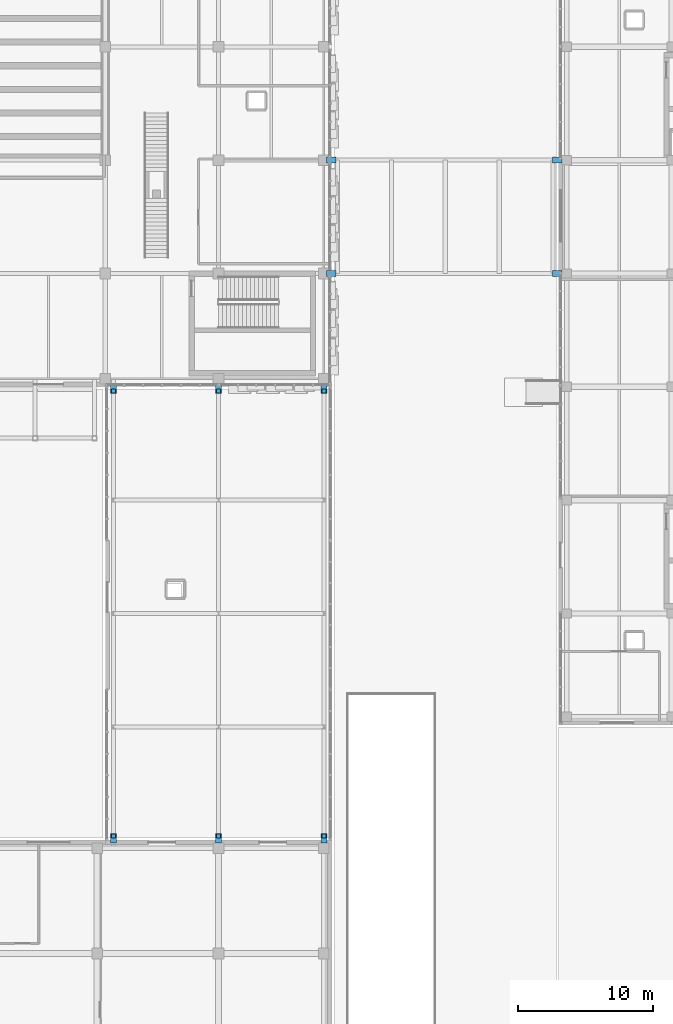
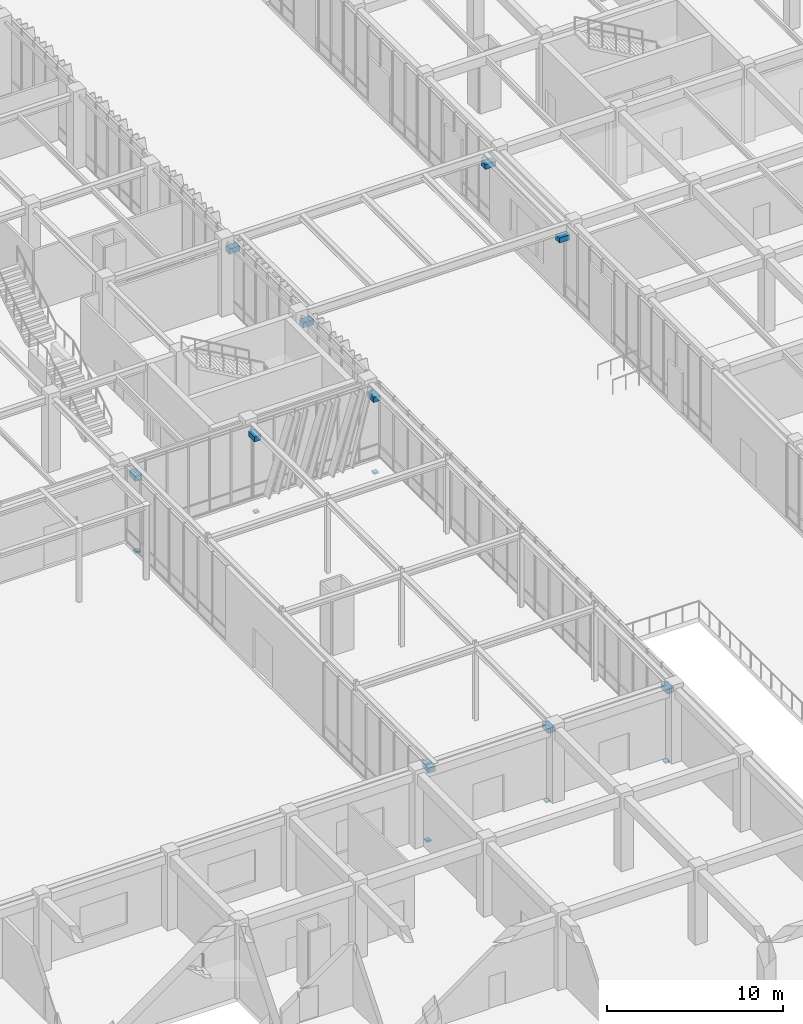
# One storey, part 107 of 122: 16 discrete accessories.
"""IFC4 building model written with IfcOpenShell, lengths in metres."""

from ifc_helpers import new_model, si_unit, direction, frame, origin, origin_2d, place, context, subcontext, project, spatial, rectangle, extrude, material, type_object, element, save


model = new_model("IFC4")

# Units and contexts
model_context = context("Model", 3, precision=1e-05, world=origin(), true_north=direction((0.0, 1.0)))
body_context = subcontext(model_context, "Body", "Model", "MODEL_VIEW")
ifc_project = project(units=[si_unit("LENGTHUNIT", "METRE"), si_unit("AREAUNIT", "SQUARE_METRE"), si_unit("VOLUMEUNIT", "CUBIC_METRE"), si_unit("PLANEANGLEUNIT", "RADIAN"), si_unit("MASSUNIT", "GRAM", prefix="KILO")], contexts=[model_context])

# Site, building, storey
site_placement = place(None, origin())
site = spatial("IfcSite", under=ifc_project, at=site_placement, CompositionType="ELEMENT")
building_placement = place(site_placement, origin())
building = spatial("IfcBuilding", under=site, at=building_placement, Name="Zayran Congress Hotel", CompositionType="ELEMENT")
storey_placement = place(building_placement, origin())
storey = spatial("IfcBuildingStorey", under=building, at=storey_placement, Name="L00", CompositionType="ELEMENT", Elevation=0.0)

# Discrete accessories
ifc_material_1 = material(Name="Steel S355", Category="steel")
discrete_accessory_type_1 = type_object("IfcDiscreteAccessoryType", Name="TP-PTFE-BRG", PredefinedType="USERDEFINED", material=ifc_material_1)
for number, where, z_axis, x_axis, name in (
    (1, (76.199951171875, 34.300048828125, -0.77001953125), (0.0, 0.0, 1.0), (1.0, 0.0, 0.0), "Unguided 2D Free PTFE Sliding Bearing 13"),
    (2, (76.199951171875, 67.300048828125, -0.77001953125), (0.0, 0.0, 1.0), (1.0, 0.0, 0.0), "Unguided 2D Free PTFE Sliding Bearing 14"),
    (3, (84.0, 34.300048828125, -0.77001953125), (0.0, 0.0, 1.0), (1.0, 0.0, 0.0), "Unguided 2D Free PTFE Sliding Bearing 15"),
    (4, (84.0, 67.300048828125, -0.77001953125), (0.0, 0.0, 1.0), (1.0, 0.0, 0.0), "Unguided 2D Free PTFE Sliding Bearing 16"),
    (5, (91.800048828125, 34.300048828125, -0.77001953125), (0.0, 0.0, 1.0), (1.0, 0.0, 0.0), "Unguided 2D Free PTFE Sliding Bearing 17"),
    (6, (91.800048828125, 67.300048828125, -0.77001953125), (0.0, 0.0, 1.0), (1.0, 0.0, 0.0), "Unguided 2D Free PTFE Sliding Bearing 18"),
):
    element("IfcDiscreteAccessory", number, at=place(storey_placement, frame(where, z_axis=z_axis, x_axis=x_axis)), inside=storey, type_object=discrete_accessory_type_1, Name=name, ObjectType="SLIDING BEARING", PredefinedType="USERDEFINED", context=body_context, shape_type="SweptSolid", body=[
        extrude(rectangle(XDim=0.300048828125, YDim=0.300048828125, at=origin_2d()), origin(), (0.0, 0.0, 1.0), 0.1201171875),
    ])
ifc_material_2 = material(Name="Concrete C40/50", Category="concrete")
discrete_accessory_type_2 = type_object("IfcDiscreteAccessoryType", Name="TP-CRB-650", PredefinedType="BRACKET", material=ifc_material_2)
for number, where, z_axis, x_axis, name in (
    (7, (92.35009765625, 76.0, 4.0400390625), (0.0, 0.0, 1.0), (1.0, 0.0, 0.0), "Skybridge 700mm RC Corbel Seat 1"),
    (8, (109.10009765625, 76.0, 4.0400390625), (0.0, 0.0, 1.0), (1.0, 0.0, 0.0), "Skybridge 700mm RC Corbel Seat 2"),
    (9, (92.35009765625, 84.39990234375, 4.0400390625), (0.0, 0.0, 1.0), (1.0, 0.0, 0.0), "Skybridge 700mm RC Corbel Seat 3"),
    (10, (109.10009765625, 84.39990234375, 4.0400390625), (0.0, 0.0, 1.0), (1.0, 0.0, 0.0), "Skybridge 700mm RC Corbel Seat 4"),
    (11, (76.199951171875, 34.14990234375, 4.280029296875), (0.0, 0.0, 1.0), (0.0, 1.0, 0.0), "Forecourt Gallery 700mm RC Corbel Seat 19"),
    (12, (76.199951171875, 67.449951171875, 4.280029296875), (0.0, 0.0, 1.0), (0.0, 1.0, 0.0), "Forecourt Gallery 700mm RC Corbel Seat 20"),
    (13, (84.0, 34.14990234375, 4.280029296875), (0.0, 0.0, 1.0), (0.0, 1.0, 0.0), "Forecourt Gallery 700mm RC Corbel Seat 21"),
    (14, (84.0, 67.449951171875, 4.280029296875), (0.0, 0.0, 1.0), (0.0, 1.0, 0.0), "Forecourt Gallery 700mm RC Corbel Seat 22"),
    (15, (91.800048828125, 34.14990234375, 4.280029296875), (0.0, 0.0, 1.0), (0.0, 1.0, 0.0), "Forecourt Gallery 700mm RC Corbel Seat 23"),
    (16, (91.800048828125, 67.449951171875, 4.280029296875), (0.0, 0.0, 1.0), (0.0, 1.0, 0.0), "Forecourt Gallery 700mm RC Corbel Seat 24"),
):
    element("IfcDiscreteAccessory", number, at=place(storey_placement, frame(where, z_axis=z_axis, x_axis=x_axis)), inside=storey, type_object=discrete_accessory_type_2, Name=name, PredefinedType="BRACKET", context=body_context, shape_type="SweptSolid", body=[
        extrude(rectangle(XDim=0.699951171875, YDim=0.449951171875, at=origin_2d()), origin(), (0.0, 0.0, 1.0), 0.35009765625),
    ])

save(model, "model.ifc")
